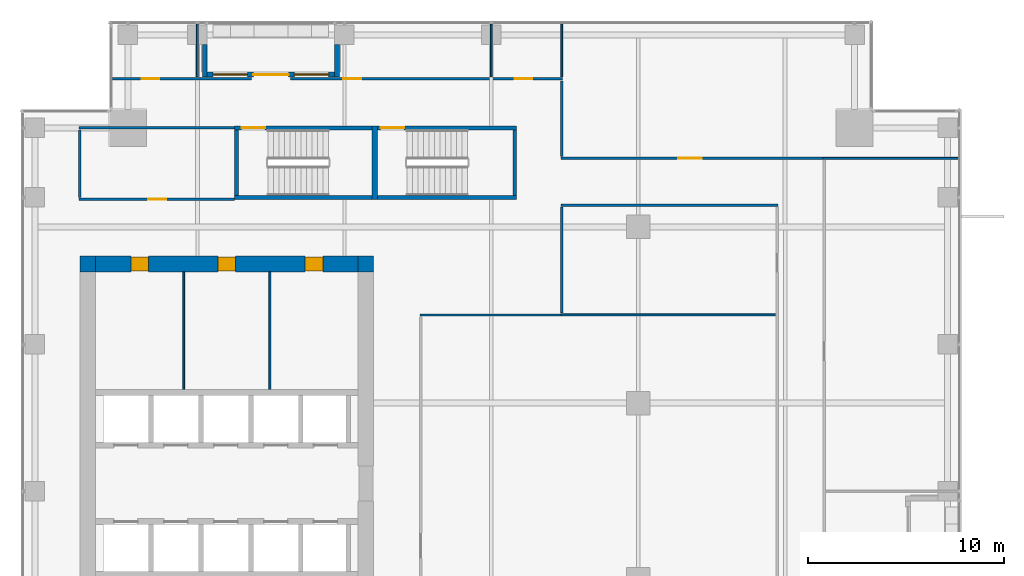
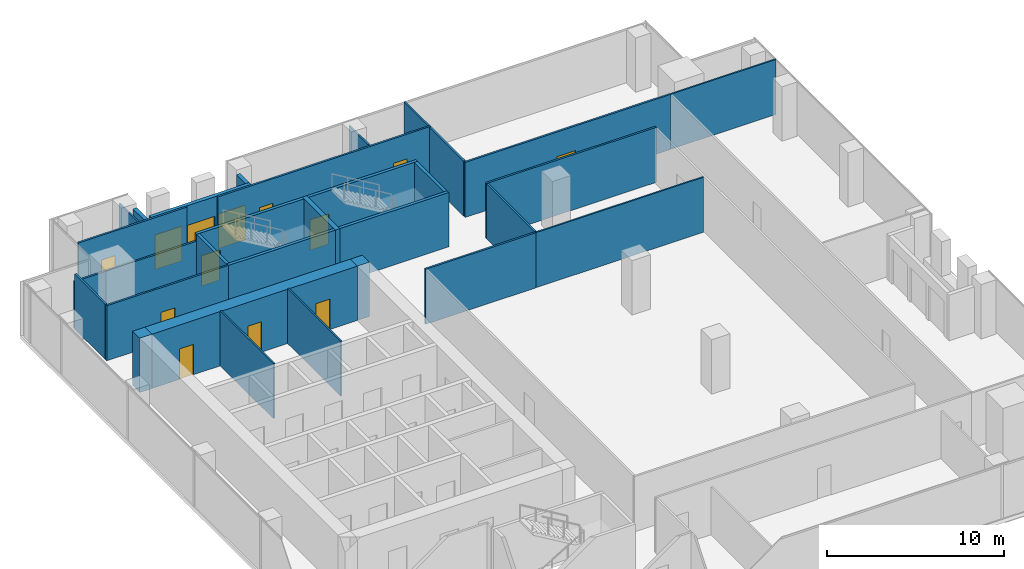
# One storey, part 36 of 40: 30 walls, 11 doors, 2 windows, 13 openings.
"""IFC4 building model written with IfcOpenShell, lengths in metres."""

from ifc_helpers import new_model, si_unit, direction, frame, frame_2d, origin, place, context, subcontext, project, spatial, rectangle, extrude, source, transform, mapped, material, layer, layer_set, type_object, element, fill, save


model = new_model("IFC4")

# Units and contexts
model_context = context("Model", 3, precision=1e-05, world=origin(), true_north=direction((0.0, 1.0)))
body_context = subcontext(model_context, "Body", "Model", "MODEL_VIEW")
ifc_project = project(units=[si_unit("LENGTHUNIT", "METRE"), si_unit("AREAUNIT", "SQUARE_METRE"), si_unit("VOLUMEUNIT", "CUBIC_METRE"), si_unit("PLANEANGLEUNIT", "RADIAN"), si_unit("MASSUNIT", "GRAM", prefix="KILO")], contexts=[model_context])

# Site, building, storey
site_placement = place(None, origin())
site = spatial("IfcSite", under=ifc_project, at=site_placement, CompositionType="ELEMENT")
building_placement = place(site_placement, origin())
building = spatial("IfcBuilding", under=site, at=building_placement, Name="Khomas Fold Tower", CompositionType="ELEMENT")
storey_placement = place(building_placement, frame((0.0, 0.0, 204.699951171875)))
storey = spatial("IfcBuildingStorey", under=building, at=storey_placement, Name="L45", CompositionType="ELEMENT", Elevation=204.699951171875)

# Wall, openings, doors
ifc_material_1 = material(Name="Concrete C60/75", Category="concrete")
ifc_layer_1 = layer(ifc_material_1, 0.800048828125)
ifc_layer_set_1 = layer_set([ifc_layer_1], Name="Concrete C60/75")
wall_type_1 = type_object("IfcWallType", Name="Core wall 800", PredefinedType="SHEAR", material=ifc_layer_set_1)
shared_shape_1 = source(origin(), body_context, "Body", "SweptSolid", [
    extrude(rectangle(XDim=13.39990234375, YDim=0.800048828125, at=frame_2d((6.699951171875, 0.0))), origin(), (0.0, 0.0, 1.0), 3.75),
])
wall_1_placement = place(storey_placement, frame((6.800048828125, 38.60009765625, 0.0), z_axis=(0.0, 0.0, 1.0), x_axis=(1.0, 0.0, 0.0)))
wall_1 = element("IfcWall", 1, at=wall_1_placement, inside=storey, type_object=wall_type_1, Name="Core wall CW-U-N-L35", PredefinedType="SHEAR", context=body_context, shape_type="MappedRepresentation", body=[
    mapped(shared_shape_1, transform((0.0, 0.0, 0.0))),
])
shared_shape_2 = source(origin(), body_context, "Body", "SweptSolid", [
    extrude(rectangle(XDim=0.89990234375, YDim=2.10009765625, at=frame_2d((0.449951171875, 1.050048828125))), frame((0.0, 0.409912109375, 0.0), z_axis=(0.0, -1.0, 0.0), x_axis=(1.0, 0.0, 0.0)), (0.0, 0.0, 1.0), 0.820068359375),
])
opening_1_placement = place(wall_1_placement, frame((1.800048828125, 0.0, 0.0)))
opening_1 = element("IfcOpeningElement", 2, at=opening_1_placement, cuts=wall_1, Name="Opening 0004", PredefinedType="OPENING", context=body_context, shape_type="MappedRepresentation", body=[
    mapped(shared_shape_2, transform((0.0, 0.0, 0.0))),
])
opening_2_placement = place(wall_1_placement, frame((6.25, 0.0, 0.0)))
opening_2 = element("IfcOpeningElement", 3, at=opening_2_placement, cuts=wall_1, Name="Opening 0004", PredefinedType="OPENING", context=body_context, shape_type="MappedRepresentation", body=[
    mapped(shared_shape_2, transform((0.0, 0.0, 0.0))),
])
opening_3_placement = place(wall_1_placement, frame((10.699951171875, 0.0, 0.0)))
opening_3 = element("IfcOpeningElement", 4, at=opening_3_placement, cuts=wall_1, Name="Opening 0008", PredefinedType="OPENING", context=body_context, shape_type="MappedRepresentation", body=[
    mapped(shared_shape_2, transform((0.0, 0.0, 0.0))),
])
ifc_material_2 = material(Name="Timber door leaf", Category="wood")
door_type_1 = type_object("IfcDoorType", Name="WC door 900x2100 right-hand", OperationType="SINGLE_SWING_RIGHT", PredefinedType="DOOR", material=ifc_material_2)
shared_shape_3 = source(origin(), body_context, "Body", "SweptSolid", [
    extrude(rectangle(XDim=0.89990234375, YDim=2.10009765625, at=frame_2d((0.449951171875, 1.050048828125))), frame((0.0, 0.35009765625, 0.0), z_axis=(0.0, -1.0, 0.0), x_axis=(1.0, 0.0, 0.0)), (0.0, 0.0, 1.0), 0.699951171875),
])
door_1_placement = place(opening_1_placement, origin())
door_1 = element("IfcDoor", 5, at=door_1_placement, inside=storey, type_object=door_type_1, Name="WC door", OperationType="SINGLE_SWING_RIGHT", OverallHeight=2.10009765625, OverallWidth=0.89990234375, PredefinedType="DOOR", context=body_context, shape_type="MappedRepresentation", body=[
    mapped(shared_shape_3, transform((0.0, 0.0, 0.0))),
])
fill(opening_1, door_1)
door_2_placement = place(opening_2_placement, origin())
door_2 = element("IfcDoor", 6, at=door_2_placement, inside=storey, type_object=door_type_1, Name="WC door", OperationType="SINGLE_SWING_RIGHT", OverallHeight=2.10009765625, OverallWidth=0.89990234375, PredefinedType="DOOR", context=body_context, shape_type="MappedRepresentation", body=[
    mapped(shared_shape_3, transform((0.0, 0.0, 0.0))),
])
fill(opening_2, door_2)
ifc_material_3 = material(Name="Timber door leaf", Category="wood")
door_type_2 = type_object("IfcDoorType", Name="Door 900x2100 right-hand", OperationType="SINGLE_SWING_RIGHT", PredefinedType="DOOR", material=ifc_material_3)
door_3_placement = place(opening_3_placement, origin())
door_3 = element("IfcDoor", 7, at=door_3_placement, inside=storey, type_object=door_type_2, Name="Door", OperationType="SINGLE_SWING_RIGHT", OverallHeight=2.10009765625, OverallWidth=0.89990234375, PredefinedType="DOOR", context=body_context, shape_type="MappedRepresentation", body=[
    mapped(shared_shape_3, transform((0.0, 0.0, 0.0))),
])
fill(opening_3, door_3)

# Walls
ifc_material_4 = material(Name="Concrete C60/75", Category="concrete")
ifc_layer_2 = layer(ifc_material_4, 0.800048828125)
ifc_layer_set_2 = layer_set([ifc_layer_2], Name="Concrete C60/75")
wall_type_2 = type_object("IfcWallType", Name="Core corner wall 800", PredefinedType="SHEAR", material=ifc_layer_set_2)
shared_shape_4 = source(origin(), body_context, "Body", "SweptSolid", [
    extrude(rectangle(XDim=0.800048828125, YDim=0.800048828125, at=frame_2d((0.39990234375, 0.0))), origin(), (0.0, 0.0, 1.0), 3.75),
])
for number, where, z_axis, x_axis, name in (
    (8, (20.199951171875, 38.60009765625, 0.0), (0.0, 0.0, 1.0), (1.0, 0.0, 0.0), "Core wall CW-U-NE-L35"),
    (9, (6.0, 38.60009765625, 0.0), (0.0, 0.0, 1.0), (1.0, 0.0, 0.0), "Core wall CW-U-NW-L35"),
):
    element("IfcWall", number, at=place(storey_placement, frame(where, z_axis=z_axis, x_axis=x_axis)), inside=storey, type_object=wall_type_2, Name=name, PredefinedType="SHEAR", context=body_context, shape_type="MappedRepresentation", body=[
        mapped(shared_shape_4, transform((0.0, 0.0, 0.0))),
    ])

# Wall, opening, door
ifc_material_5 = material(Name="Concrete C50/60", Category="concrete")
ifc_layer_3 = layer(ifc_material_5, 0.199951171875)
ifc_layer_set_3 = layer_set([ifc_layer_3], Name="Concrete C50/60")
wall_type_3 = type_object("IfcWallType", Name="Stair wall 200", PredefinedType="SHEAR", material=ifc_layer_set_3)
shared_shape_5 = source(origin(), body_context, "Body", "SweptSolid", [
    extrude(rectangle(XDim=7.0, YDim=0.199951171875, at=frame_2d((3.5, 0.0))), origin(), (0.0, 0.0, 1.0), 3.75),
])
wall_2_placement = place(storey_placement, frame((13.89990234375, 45.550048828125, 0.0), z_axis=(0.0, 0.0, 1.0), x_axis=(1.0, 0.0, 0.0)))
wall_2 = element("IfcWall", 10, at=wall_2_placement, inside=storey, type_object=wall_type_3, Name="Stair wall SW-ST1-N", PredefinedType="SHEAR", context=body_context, shape_type="MappedRepresentation", body=[
    mapped(shared_shape_5, transform((0.0, 0.0, 0.0))),
])
shared_shape_6 = source(origin(), body_context, "Body", "SweptSolid", [
    extrude(rectangle(XDim=1.199951171875, YDim=2.10009765625, at=frame_2d((0.60009765625, 1.050048828125))), frame((0.0, 0.10986328125, 0.0), z_axis=(0.0, -1.0, 0.0), x_axis=(1.0, 0.0, 0.0)), (0.0, 0.0, 1.0), 0.219970703125),
])
opening_4_placement = place(wall_2_placement, frame((0.35009765625, 0.0, 0.0)))
opening_4 = element("IfcOpeningElement", 11, at=opening_4_placement, cuts=wall_2, Name="Opening SD-ST1", PredefinedType="OPENING", context=body_context, shape_type="MappedRepresentation", body=[
    mapped(shared_shape_6, transform((0.0, 0.0, 0.0))),
])
ifc_material_6 = material(Name="Steel door leaf", Category="steel")
door_type_3 = type_object("IfcDoorType", Name="Stair door 1200x2100 left-hand", OperationType="SINGLE_SWING_LEFT", PredefinedType="DOOR", material=ifc_material_6)
shared_shape_7 = source(origin(), body_context, "Body", "SweptSolid", [
    extrude(rectangle(XDim=1.199951171875, YDim=2.10009765625, at=frame_2d((0.60009765625, 1.050048828125))), frame((0.0, 0.02490234375, 0.0), z_axis=(0.0, -1.0, 0.0), x_axis=(1.0, 0.0, 0.0)), (0.0, 0.0, 1.0), 0.050048828125),
])
door_4_placement = place(opening_4_placement, origin())
door_4 = element("IfcDoor", 12, at=door_4_placement, inside=storey, type_object=door_type_3, Name="Stair door", OperationType="SINGLE_SWING_LEFT", OverallHeight=2.10009765625, OverallWidth=1.199951171875, PredefinedType="DOOR", context=body_context, shape_type="MappedRepresentation", body=[
    mapped(shared_shape_7, transform((0.0, 0.0, 0.0))),
])
fill(opening_4, door_4)

# Wall
wall_3_placement = place(storey_placement, frame((13.89990234375, 42.0, 0.0), z_axis=(0.0, 0.0, 1.0), x_axis=(1.0, 0.0, 0.0)))
element("IfcWall", 13, at=wall_3_placement, inside=storey, type_object=wall_type_3, Name="Stair wall SW-ST1-S", PredefinedType="SHEAR", context=body_context, shape_type="MappedRepresentation", body=[
    mapped(shared_shape_5, transform((0.0, 0.0, 0.0))),
])

# Wall, opening, door
shared_shape_8 = source(origin(), body_context, "Body", "SweptSolid", [
    extrude(rectangle(XDim=7.10009765625, YDim=0.199951171875, at=frame_2d((3.550048828125, 0.0))), origin(), (0.0, 0.0, 1.0), 3.75),
])
wall_4_placement = place(storey_placement, frame((21.199951171875, 45.550048828125, 0.0), z_axis=(0.0, 0.0, 1.0), x_axis=(1.0, 0.0, 0.0)))
wall_4 = element("IfcWall", 14, at=wall_4_placement, inside=storey, type_object=wall_type_3, Name="Stair wall SW-ST3-N", PredefinedType="SHEAR", context=body_context, shape_type="MappedRepresentation", body=[
    mapped(shared_shape_8, transform((0.0, 0.0, 0.0))),
])
opening_5_placement = place(wall_4_placement, frame((0.14990234375, 0.0, 0.0)))
opening_5 = element("IfcOpeningElement", 15, at=opening_5_placement, cuts=wall_4, Name="Opening SD-ST3", PredefinedType="OPENING", context=body_context, shape_type="MappedRepresentation", body=[
    mapped(shared_shape_6, transform((0.0, 0.0, 0.0))),
])
door_5_placement = place(opening_5_placement, origin())
door_5 = element("IfcDoor", 16, at=door_5_placement, inside=storey, type_object=door_type_3, Name="Stair door", OperationType="SINGLE_SWING_LEFT", OverallHeight=2.10009765625, OverallWidth=1.199951171875, PredefinedType="DOOR", context=body_context, shape_type="MappedRepresentation", body=[
    mapped(shared_shape_7, transform((0.0, 0.0, 0.0))),
])
fill(opening_5, door_5)

# Walls
wall_5_placement = place(storey_placement, frame((21.199951171875, 42.0, 0.0), z_axis=(0.0, 0.0, 1.0), x_axis=(1.0, 0.0, 0.0)))
element("IfcWall", 17, at=wall_5_placement, inside=storey, type_object=wall_type_3, Name="Stair wall SW-ST3-S", PredefinedType="SHEAR", context=body_context, shape_type="MappedRepresentation", body=[
    mapped(shared_shape_8, transform((0.0, 0.0, 0.0))),
])
ifc_material_7 = material(Name="Concrete C50/60", Category="concrete")
ifc_layer_4 = layer(ifc_material_7, 0.300048828125)
ifc_layer_set_4 = layer_set([ifc_layer_4], Name="Concrete C50/60")
wall_type_4 = type_object("IfcWallType", Name="Stair wall 300", PredefinedType="SHEAR", material=ifc_layer_set_4)
shared_shape_9 = source(origin(), body_context, "Body", "SweptSolid", [
    extrude(rectangle(XDim=3.75, YDim=0.300048828125, at=frame_2d((1.875, 0.0))), origin(), (0.0, 0.0, 1.0), 3.75),
])
wall_6_placement = place(storey_placement, frame((21.050048828125, 41.89990234375, 0.0), z_axis=(0.0, 0.0, 1.0), x_axis=(0.0, 1.0, 0.0)))
element("IfcWall", 18, at=wall_6_placement, inside=storey, type_object=wall_type_4, Name="Stair wall SW-ST1-E", PredefinedType="SHEAR", context=body_context, shape_type="MappedRepresentation", body=[
    mapped(shared_shape_9, transform((0.0, 0.0, 0.0))),
])
shared_shape_10 = source(origin(), body_context, "Body", "SweptSolid", [
    extrude(rectangle(XDim=3.349853515625, YDim=0.199951171875, at=frame_2d((1.6748046875, 0.0))), origin(), (0.0, 0.0, 1.0), 3.75),
])
for number, where, z_axis, x_axis, name in (
    (19, (14.0, 42.10009765625, 0.0), (0.0, 0.0, 1.0), (0.0, 1.0, 0.0), "Stair wall SW-ST1-W"),
    (20, (28.199951171875, 42.10009765625, 0.0), (0.0, 0.0, 1.0), (0.0, 1.0, 0.0), "Stair wall SW-ST3-E"),
):
    element("IfcWall", number, at=place(storey_placement, frame(where, z_axis=z_axis, x_axis=x_axis)), inside=storey, type_object=wall_type_3, Name=name, PredefinedType="SHEAR", context=body_context, shape_type="MappedRepresentation", body=[
        mapped(shared_shape_10, transform((0.0, 0.0, 0.0))),
    ])

# Wall, openings, door, windows
ifc_material_8 = material(Name="Natural stone", Category="masonry")
ifc_layer_5 = layer(ifc_material_8, 0.0400390625)
ifc_material_9 = material(Name="Mineral wool insulation", Category="insulation")
ifc_layer_6 = layer(ifc_material_9, 0.10009765625)
ifc_material_10 = material(Name="Masonry", Category="masonry")
ifc_layer_7 = layer(ifc_material_10, 0.110107421875)
ifc_layer_set_5 = layer_set([ifc_layer_5, ifc_layer_6, ifc_layer_7], Name="Stone-faced insulated masonry")
wall_type_5 = type_object("IfcWallType", Name="BL-Balcony wall", PredefinedType="SOLIDWALL", material=ifc_layer_set_5)
shared_shape_11 = source(origin(), body_context, "Body", "SweptSolid", [
    extrude(rectangle(XDim=6.5, YDim=0.25, at=frame_2d((3.25, 0.0))), origin(), (0.0, 0.0, 1.0), 3.75),
])
wall_7_placement = place(storey_placement, frame((12.5, 48.27490234375, 0.0), z_axis=(0.0, 0.0, 1.0), x_axis=(1.0, 0.0, 0.0)))
wall_7 = element("IfcWall", 21, at=wall_7_placement, inside=storey, type_object=wall_type_5, Name="Balcony wall BAL-L45-N1", PredefinedType="SOLIDWALL", context=body_context, shape_type="MappedRepresentation", body=[
    mapped(shared_shape_11, transform((0.0, 0.0, 0.0))),
])
shared_shape_12 = source(origin(), body_context, "Body", "SweptSolid", [
    extrude(rectangle(XDim=1.75, YDim=2.39990234375, at=frame_2d((0.875, 1.199951171875))), frame((0.0, 0.135009765625, 0.0), z_axis=(0.0, -1.0, 0.0), x_axis=(1.0, 0.0, 0.0)), (0.0, 0.0, 1.0), 0.27001953125),
])
opening_6_placement = place(wall_7_placement, frame((0.300048828125, 0.0, 0.0)))
opening_6 = element("IfcOpeningElement", 22, at=opening_6_placement, cuts=wall_7, Name="Opening BL-W3", PredefinedType="OPENING", context=body_context, shape_type="MappedRepresentation", body=[
    mapped(shared_shape_12, transform((0.0, 0.0, 0.0))),
])
opening_7_placement = place(wall_7_placement, frame((4.449951171875, 0.0, 0.0)))
opening_7 = element("IfcOpeningElement", 23, at=opening_7_placement, cuts=wall_7, Name="Opening BL-W3", PredefinedType="OPENING", context=body_context, shape_type="MappedRepresentation", body=[
    mapped(shared_shape_12, transform((0.0, 0.0, 0.0))),
])
shared_shape_13 = source(origin(), body_context, "Body", "SweptSolid", [
    extrude(rectangle(XDim=1.800048828125, YDim=2.39990234375, at=frame_2d((0.89990234375, 1.199951171875))), frame((0.0, 0.135009765625, 0.0), z_axis=(0.0, -1.0, 0.0), x_axis=(1.0, 0.0, 0.0)), (0.0, 0.0, 1.0), 0.27001953125),
])
opening_8_placement = place(wall_7_placement, frame((2.35009765625, 0.0, 0.0)))
opening_8 = element("IfcOpeningElement", 24, at=opening_8_placement, cuts=wall_7, Name="Opening BD452", PredefinedType="OPENING", context=body_context, shape_type="MappedRepresentation", body=[
    mapped(shared_shape_13, transform((0.0, 0.0, 0.0))),
])
ifc_material_11 = material(Name="Aluminium framed double glazing", Category="aluminium")
door_type_4 = type_object("IfcDoorType", Name="BL-Glazed balcony door 1800 x 2400", OperationType="DOUBLE_DOOR_DOUBLE_SWING", PredefinedType="DOOR", material=ifc_material_11)
shared_shape_14 = source(origin(), body_context, "Body", "SweptSolid", [
    extrude(rectangle(XDim=1.800048828125, YDim=2.39990234375, at=frame_2d((0.89990234375, 1.199951171875))), frame((0.0, 0.02490234375, 0.0), z_axis=(0.0, -1.0, 0.0), x_axis=(1.0, 0.0, 0.0)), (0.0, 0.0, 1.0), 0.050048828125),
])
door_6_placement = place(opening_8_placement, origin())
door_6 = element("IfcDoor", 25, at=door_6_placement, inside=storey, type_object=door_type_4, Name="Balcony door BD452", OperationType="DOUBLE_DOOR_DOUBLE_SWING", OverallHeight=2.39990234375, OverallWidth=1.800048828125, PredefinedType="DOOR", context=body_context, shape_type="MappedRepresentation", body=[
    mapped(shared_shape_14, transform((0.0, 0.0, 0.0))),
])
fill(opening_8, door_6)
ifc_material_12 = material(Name="Aluminium framed double glazing", Category="aluminium")
window_type = type_object("IfcWindowType", Name="BL-Fixed glazing 1750 x 2400", PartitioningType="SINGLE_PANEL", PredefinedType="WINDOW", material=ifc_material_12)
shared_shape_15 = source(origin(), body_context, "Body", "SweptSolid", [
    extrude(rectangle(XDim=1.75, YDim=2.39990234375, at=frame_2d((0.875, 1.199951171875))), frame((0.0, 0.030029296875, 0.0), z_axis=(0.0, -1.0, 0.0), x_axis=(1.0, 0.0, 0.0)), (0.0, 0.0, 1.0), 0.06005859375),
])
window_1_placement = place(opening_6_placement, origin())
window_1 = element("IfcWindow", 26, at=window_1_placement, inside=storey, type_object=window_type, Name="Balcony glazing BAL-L45-N1-1", OverallHeight=2.39990234375, OverallWidth=1.75, PartitioningType="SINGLE_PANEL", PredefinedType="WINDOW", context=body_context, shape_type="MappedRepresentation", body=[
    mapped(shared_shape_15, transform((0.0, 0.0, 0.0))),
])
fill(opening_6, window_1)
window_2_placement = place(opening_7_placement, origin())
window_2 = element("IfcWindow", 27, at=window_2_placement, inside=storey, type_object=window_type, Name="Balcony glazing BAL-L45-N1-2", OverallHeight=2.39990234375, OverallWidth=1.75, PartitioningType="SINGLE_PANEL", PredefinedType="WINDOW", context=body_context, shape_type="MappedRepresentation", body=[
    mapped(shared_shape_15, transform((0.0, 0.0, 0.0))),
])
fill(opening_7, window_2)

# Walls
shared_shape_16 = source(origin(), body_context, "Body", "SweptSolid", [
    extrude(rectangle(XDim=1.650146484375, YDim=0.25, at=frame_2d((0.8251953125, 0.0))), origin(), (0.0, 0.0, 1.0), 3.449951171875),
])
for number, where, z_axis, x_axis, name in (
    (28, (12.375, 49.800048828125, 0.0), (0.0, 0.0, 1.0), (0.0, -1.0, 0.0), "Balcony return wall BAL-L45-N1-lo"),
    (29, (19.125, 49.800048828125, 0.0), (0.0, 0.0, 1.0), (0.0, -1.0, 0.0), "Balcony return wall BAL-L45-N1-hi"),
):
    element("IfcWall", number, at=place(storey_placement, frame(where, z_axis=z_axis, x_axis=x_axis)), inside=storey, type_object=wall_type_5, Name=name, PredefinedType="SOLIDWALL", context=body_context, shape_type="MappedRepresentation", body=[
        mapped(shared_shape_16, transform((0.0, 0.0, 0.0))),
    ])
ifc_material_13 = material(Name="Plasterboard partition")
ifc_layer_8 = layer(ifc_material_13, 0.125)
ifc_layer_set_6 = layer_set([ifc_layer_8], Name="Plasterboard partition")
wall_type_6 = type_object("IfcWallType", Name="Partition PW2 125", PredefinedType="PARTITIONING", material=ifc_layer_set_6)
shared_shape_17 = source(origin(), body_context, "Body", "SweptSolid", [
    extrude(rectangle(XDim=7.949951171875, YDim=0.125, at=frame_2d((3.97509765625, 0.0))), origin(), (0.0, 0.0, 1.0), 3.25),
])
wall_8_placement = place(storey_placement, frame((5.949951171875, 45.550048828125, 0.0), z_axis=(0.0, 0.0, 1.0), x_axis=(1.0, 0.0, 0.0)))
element("IfcWall", 30, at=wall_8_placement, inside=storey, type_object=wall_type_6, Name="Partition", PredefinedType="PARTITIONING", context=body_context, shape_type="MappedRepresentation", body=[
    mapped(shared_shape_17, transform((0.0, 0.0, 0.0))),
])
ifc_material_14 = material(Name="Plasterboard partition")
ifc_layer_9 = layer(ifc_material_14, 0.10009765625)
ifc_layer_set_7 = layer_set([ifc_layer_9], Name="Plasterboard partition")
wall_type_7 = type_object("IfcWallType", Name="Partition PW1 100", PredefinedType="PARTITIONING", material=ifc_layer_set_7)
shared_shape_18 = source(origin(), body_context, "Body", "SweptSolid", [
    extrude(rectangle(XDim=6.0, YDim=0.10009765625, at=frame_2d((3.0, 0.0))), origin(), (0.0, 0.0, 1.0), 3.800048828125),
])
for number, where, z_axis, x_axis, name in (
    (31, (11.300048828125, 32.199951171875, 0.0), (0.0, 0.0, 1.0), (0.0, 1.0, 0.0), "Partition"),
    (32, (15.699951171875, 32.199951171875, 0.0), (0.0, 0.0, 1.0), (0.0, 1.0, 0.0), "Partition"),
):
    element("IfcWall", number, at=place(storey_placement, frame(where, z_axis=z_axis, x_axis=x_axis)), inside=storey, type_object=wall_type_7, Name=name, PredefinedType="PARTITIONING", context=body_context, shape_type="MappedRepresentation", body=[
        mapped(shared_shape_18, transform((0.0, 0.0, 0.0))),
    ])

# Wall, opening, door
shared_shape_19 = source(origin(), body_context, "Body", "SweptSolid", [
    extrude(rectangle(XDim=7.949951171875, YDim=0.125, at=frame_2d((3.97509765625, 0.0))), origin(), (0.0, 0.0, 1.0), 3.800048828125),
])
wall_9_placement = place(storey_placement, frame((5.949951171875, 41.89990234375, 0.0), z_axis=(0.0, 0.0, 1.0), x_axis=(1.0, 0.0, 0.0)))
wall_9 = element("IfcWall", 33, at=wall_9_placement, inside=storey, type_object=wall_type_6, Name="Partition", PredefinedType="PARTITIONING", context=body_context, shape_type="MappedRepresentation", body=[
    mapped(shared_shape_19, transform((0.0, 0.0, 0.0))),
])
shared_shape_20 = source(origin(), body_context, "Body", "SweptSolid", [
    extrude(rectangle(XDim=0.89990234375, YDim=2.10009765625, at=frame_2d((0.449951171875, 1.050048828125))), frame((0.0, 0.072509765625, 0.0), z_axis=(0.0, -1.0, 0.0), x_axis=(1.0, 0.0, 0.0)), (0.0, 0.0, 1.0), 0.14501953125),
])
opening_9_placement = place(wall_9_placement, frame((3.550048828125, 0.0, 0.0)))
opening_9 = element("IfcOpeningElement", 34, at=opening_9_placement, cuts=wall_9, Name="Opening 0007", PredefinedType="OPENING", context=body_context, shape_type="MappedRepresentation", body=[
    mapped(shared_shape_20, transform((0.0, 0.0, 0.0))),
])
ifc_material_15 = material(Name="Timber door leaf", Category="wood")
door_type_5 = type_object("IfcDoorType", Name="Door 900x2100 left-hand", OperationType="SINGLE_SWING_LEFT", PredefinedType="DOOR", material=ifc_material_15)
shared_shape_21 = source(origin(), body_context, "Body", "SweptSolid", [
    extrude(rectangle(XDim=0.89990234375, YDim=2.10009765625, at=frame_2d((0.449951171875, 1.050048828125))), frame((0.0, 0.02490234375, 0.0), z_axis=(0.0, -1.0, 0.0), x_axis=(1.0, 0.0, 0.0)), (0.0, 0.0, 1.0), 0.050048828125),
])
door_7_placement = place(opening_9_placement, origin())
door_7 = element("IfcDoor", 35, at=door_7_placement, inside=storey, type_object=door_type_5, Name="Door", OperationType="SINGLE_SWING_LEFT", OverallHeight=2.10009765625, OverallWidth=0.89990234375, PredefinedType="DOOR", context=body_context, shape_type="MappedRepresentation", body=[
    mapped(shared_shape_21, transform((0.0, 0.0, 0.0))),
])
fill(opening_9, door_7)

# Walls
shared_shape_22 = source(origin(), body_context, "Body", "SweptSolid", [
    extrude(rectangle(XDim=3.449951171875, YDim=0.125, at=frame_2d((1.72509765625, 0.0))), origin(), (0.0, 0.0, 1.0), 3.800048828125),
])
wall_10_placement = place(storey_placement, frame((6.0, 42.0, 0.0), z_axis=(0.0, 0.0, 1.0), x_axis=(0.0, 1.0, 0.0)))
element("IfcWall", 36, at=wall_10_placement, inside=storey, type_object=wall_type_6, Name="Partition", PredefinedType="PARTITIONING", context=body_context, shape_type="MappedRepresentation", body=[
    mapped(shared_shape_22, transform((0.0, 0.0, 0.0))),
])
shared_shape_23 = source(origin(), body_context, "Body", "SweptSolid", [
    extrude(rectangle(XDim=2.7001953125, YDim=0.10009765625, at=frame_2d((1.35009765625, 0.0))), origin(), (0.0, 0.0, 1.0), 3.420166015625),
])
wall_11_placement = place(storey_placement, frame((27.0, 48.14990234375, 0.0), z_axis=(0.0, 0.0, 1.0), x_axis=(0.0, 1.0, 0.0)))
element("IfcWall", 37, at=wall_11_placement, inside=storey, type_object=wall_type_7, Name="Partition", PredefinedType="PARTITIONING", context=body_context, shape_type="MappedRepresentation", body=[
    mapped(shared_shape_23, transform((0.0, 0.0, 0.0))),
])
shared_shape_24 = source(origin(), body_context, "Body", "SweptSolid", [
    extrude(rectangle(XDim=2.7001953125, YDim=0.10009765625, at=frame_2d((1.35009765625, 0.0))), origin(), (0.0, 0.0, 1.0), 3.800048828125),
])
wall_12_placement = place(storey_placement, frame((30.60009765625, 48.14990234375, 0.0), z_axis=(0.0, 0.0, 1.0), x_axis=(0.0, 1.0, 0.0)))
element("IfcWall", 38, at=wall_12_placement, inside=storey, type_object=wall_type_7, Name="Partition", PredefinedType="PARTITIONING", context=body_context, shape_type="MappedRepresentation", body=[
    mapped(shared_shape_24, transform((0.0, 0.0, 0.0))),
])

# Wall, opening, door
shared_shape_25 = source(origin(), body_context, "Body", "SweptSolid", [
    extrude(rectangle(XDim=7.10009765625, YDim=0.125, at=frame_2d((3.550048828125, 0.0))), origin(), (0.0, 0.0, 1.0), 3.800048828125),
])
wall_13_placement = place(storey_placement, frame((7.64990234375, 48.050048828125, 0.0), z_axis=(0.0, 0.0, 1.0), x_axis=(1.0, 0.0, 0.0)))
wall_13 = element("IfcWall", 39, at=wall_13_placement, inside=storey, type_object=wall_type_6, Name="Partition", PredefinedType="PARTITIONING", context=body_context, shape_type="MappedRepresentation", body=[
    mapped(shared_shape_25, transform((0.0, 0.0, 0.0))),
])
opening_10_placement = place(wall_13_placement, frame((1.5, 0.0, 0.0)))
opening_10 = element("IfcOpeningElement", 40, at=opening_10_placement, cuts=wall_13, Name="Opening 0008", PredefinedType="OPENING", context=body_context, shape_type="MappedRepresentation", body=[
    mapped(shared_shape_20, transform((0.0, 0.0, 0.0))),
])
door_8_placement = place(opening_10_placement, origin())
door_8 = element("IfcDoor", 41, at=door_8_placement, inside=storey, type_object=door_type_2, Name="Door", OperationType="SINGLE_SWING_RIGHT", OverallHeight=2.10009765625, OverallWidth=0.89990234375, PredefinedType="DOOR", context=body_context, shape_type="MappedRepresentation", body=[
    mapped(shared_shape_21, transform((0.0, 0.0, 0.0))),
])
fill(opening_10, door_8)

# Wall, openings, doors
shared_shape_26 = source(origin(), body_context, "Body", "SweptSolid", [
    extrude(rectangle(XDim=13.89990234375, YDim=0.125, at=frame_2d((6.949951171875, 0.0))), origin(), (0.0, 0.0, 1.0), 3.800048828125),
])
wall_14_placement = place(storey_placement, frame((16.75, 48.050048828125, 0.0), z_axis=(0.0, 0.0, 1.0), x_axis=(1.0, 0.0, 0.0)))
wall_14 = element("IfcWall", 42, at=wall_14_placement, inside=storey, type_object=wall_type_6, Name="Partition", PredefinedType="PARTITIONING", context=body_context, shape_type="MappedRepresentation", body=[
    mapped(shared_shape_26, transform((0.0, 0.0, 0.0))),
])
opening_11_placement = place(wall_14_placement, frame((2.699951171875, 0.0, 0.0)))
opening_11 = element("IfcOpeningElement", 43, at=opening_11_placement, cuts=wall_14, Name="Opening 0007", PredefinedType="OPENING", context=body_context, shape_type="MappedRepresentation", body=[
    mapped(shared_shape_20, transform((0.0, 0.0, 0.0))),
])
opening_12_placement = place(wall_14_placement, frame((11.449951171875, 0.0, 0.0)))
opening_12 = element("IfcOpeningElement", 44, at=opening_12_placement, cuts=wall_14, Name="Opening 0008", PredefinedType="OPENING", context=body_context, shape_type="MappedRepresentation", body=[
    mapped(shared_shape_20, transform((0.0, 0.0, 0.0))),
])
door_9_placement = place(opening_11_placement, origin())
door_9 = element("IfcDoor", 45, at=door_9_placement, inside=storey, type_object=door_type_5, Name="Door", OperationType="SINGLE_SWING_LEFT", OverallHeight=2.10009765625, OverallWidth=0.89990234375, PredefinedType="DOOR", context=body_context, shape_type="MappedRepresentation", body=[
    mapped(shared_shape_21, transform((0.0, 0.0, 0.0))),
])
fill(opening_11, door_9)
door_10_placement = place(opening_12_placement, origin())
door_10 = element("IfcDoor", 46, at=door_10_placement, inside=storey, type_object=door_type_2, Name="Door", OperationType="SINGLE_SWING_RIGHT", OverallHeight=2.10009765625, OverallWidth=0.89990234375, PredefinedType="DOOR", context=body_context, shape_type="MappedRepresentation", body=[
    mapped(shared_shape_21, transform((0.0, 0.0, 0.0))),
])
fill(opening_12, door_10)

# Walls
shared_shape_27 = source(origin(), body_context, "Body", "SweptSolid", [
    extrude(rectangle(XDim=6.900146484375, YDim=0.10009765625, at=frame_2d((3.4501953125, 0.0))), origin(), (0.0, 0.0, 1.0), 3.800048828125),
])
wall_15_placement = place(storey_placement, frame((43.949951171875, 44.0, 0.0), z_axis=(0.0, 0.0, 1.0), x_axis=(1.0, 0.0, 0.0)))
element("IfcWall", 47, at=wall_15_placement, inside=storey, type_object=wall_type_7, Name="Partition", PredefinedType="PARTITIONING", context=body_context, shape_type="MappedRepresentation", body=[
    mapped(shared_shape_27, transform((0.0, 0.0, 0.0))),
])
shared_shape_28 = source(origin(), body_context, "Body", "SweptSolid", [
    extrude(rectangle(XDim=7.199951171875, YDim=0.125, at=frame_2d((3.60009765625, 0.0))), origin(), (0.0, 0.0, 1.0), 3.800048828125),
])
wall_16_placement = place(storey_placement, frame((23.35009765625, 36.0, 0.0), z_axis=(0.0, 0.0, 1.0), x_axis=(1.0, 0.0, 0.0)))
element("IfcWall", 48, at=wall_16_placement, inside=storey, type_object=wall_type_6, Name="Partition", PredefinedType="PARTITIONING", context=body_context, shape_type="MappedRepresentation", body=[
    mapped(shared_shape_28, transform((0.0, 0.0, 0.0))),
])
shared_shape_29 = source(origin(), body_context, "Body", "SweptSolid", [
    extrude(rectangle(XDim=10.949951171875, YDim=0.10009765625, at=frame_2d((5.47509765625, 0.0))), origin(), (0.0, 0.0, 1.0), 3.800048828125),
])
wall_17_placement = place(storey_placement, frame((30.550048828125, 36.0, 0.0), z_axis=(0.0, 0.0, 1.0), x_axis=(1.0, 0.0, 0.0)))
element("IfcWall", 49, at=wall_17_placement, inside=storey, type_object=wall_type_7, Name="Partition", PredefinedType="PARTITIONING", context=body_context, shape_type="MappedRepresentation", body=[
    mapped(shared_shape_29, transform((0.0, 0.0, 0.0))),
])
shared_shape_30 = source(origin(), body_context, "Body", "SweptSolid", [
    extrude(rectangle(XDim=5.39990234375, YDim=0.125, at=frame_2d((2.699951171875, 0.0))), origin(), (0.0, 0.0, 1.0), 3.800048828125),
])
wall_18_placement = place(storey_placement, frame((30.60009765625, 36.10009765625, 0.0), z_axis=(0.0, 0.0, 1.0), x_axis=(0.0, 1.0, 0.0)))
element("IfcWall", 50, at=wall_18_placement, inside=storey, type_object=wall_type_6, Name="Partition", PredefinedType="PARTITIONING", context=body_context, shape_type="MappedRepresentation", body=[
    mapped(shared_shape_30, transform((0.0, 0.0, 0.0))),
])
shared_shape_31 = source(origin(), body_context, "Body", "SweptSolid", [
    extrude(rectangle(XDim=11.099853515625, YDim=0.125, at=frame_2d((5.5498046875, 0.0))), origin(), (0.0, 0.0, 1.0), 3.800048828125),
])
wall_19_placement = place(storey_placement, frame((30.550048828125, 41.60009765625, 0.0), z_axis=(0.0, 0.0, 1.0), x_axis=(1.0, 0.0, 0.0)))
element("IfcWall", 51, at=wall_19_placement, inside=storey, type_object=wall_type_6, Name="Partition", PredefinedType="PARTITIONING", context=body_context, shape_type="MappedRepresentation", body=[
    mapped(shared_shape_31, transform((0.0, 0.0, 0.0))),
])

# Wall, opening, door
shared_shape_32 = source(origin(), body_context, "Body", "SweptSolid", [
    extrude(rectangle(XDim=13.39990234375, YDim=0.125, at=frame_2d((6.699951171875, 0.0))), origin(), (0.0, 0.0, 1.0), 3.800048828125),
])
wall_20_placement = place(storey_placement, frame((30.550048828125, 44.0, 0.0), z_axis=(0.0, 0.0, 1.0), x_axis=(1.0, 0.0, 0.0)))
wall_20 = element("IfcWall", 52, at=wall_20_placement, inside=storey, type_object=wall_type_6, Name="Partition", PredefinedType="PARTITIONING", context=body_context, shape_type="MappedRepresentation", body=[
    mapped(shared_shape_32, transform((0.0, 0.0, 0.0))),
])
shared_shape_33 = source(origin(), body_context, "Body", "SweptSolid", [
    extrude(rectangle(XDim=1.199951171875, YDim=2.10009765625, at=frame_2d((0.60009765625, 1.050048828125))), frame((0.0, 0.072509765625, 0.0), z_axis=(0.0, -1.0, 0.0), x_axis=(1.0, 0.0, 0.0)), (0.0, 0.0, 1.0), 0.14501953125),
])
opening_13_placement = place(wall_20_placement, frame((6.0, 0.0, 0.0)))
opening_13 = element("IfcOpeningElement", 53, at=opening_13_placement, cuts=wall_20, Name="Opening 0001", PredefinedType="OPENING", context=body_context, shape_type="MappedRepresentation", body=[
    mapped(shared_shape_33, transform((0.0, 0.0, 0.0))),
])
ifc_material_16 = material(Name="Timber door leaf", Category="wood")
door_type_6 = type_object("IfcDoorType", Name="Door 1200x2100 right-hand", OperationType="SINGLE_SWING_RIGHT", PredefinedType="DOOR", material=ifc_material_16)
door_11_placement = place(opening_13_placement, origin())
door_11 = element("IfcDoor", 54, at=door_11_placement, inside=storey, type_object=door_type_6, Name="Door", OperationType="SINGLE_SWING_RIGHT", OverallHeight=2.10009765625, OverallWidth=1.199951171875, PredefinedType="DOOR", context=body_context, shape_type="MappedRepresentation", body=[
    mapped(shared_shape_7, transform((0.0, 0.0, 0.0))),
])
fill(opening_13, door_11)

# Walls
shared_shape_34 = source(origin(), body_context, "Body", "SweptSolid", [
    extrude(rectangle(XDim=3.849853515625, YDim=0.125, at=frame_2d((1.9248046875, 0.0))), origin(), (0.0, 0.0, 1.0), 3.800048828125),
])
wall_21_placement = place(storey_placement, frame((30.60009765625, 44.10009765625, 0.0), z_axis=(0.0, 0.0, 1.0), x_axis=(0.0, 1.0, 0.0)))
element("IfcWall", 55, at=wall_21_placement, inside=storey, type_object=wall_type_6, Name="Partition", PredefinedType="PARTITIONING", context=body_context, shape_type="MappedRepresentation", body=[
    mapped(shared_shape_34, transform((0.0, 0.0, 0.0))),
])
shared_shape_35 = source(origin(), body_context, "Body", "SweptSolid", [
    extrude(rectangle(XDim=2.7001953125, YDim=0.10009765625, at=frame_2d((1.35009765625, 0.0))), origin(), (0.0, 0.0, 1.0), 3.300048828125),
])
wall_22_placement = place(storey_placement, frame((12.0, 48.14990234375, 0.0), z_axis=(0.0, 0.0, 1.0), x_axis=(0.0, 1.0, 0.0)))
element("IfcWall", 56, at=wall_22_placement, inside=storey, type_object=wall_type_7, Name="Partition", PredefinedType="PARTITIONING", context=body_context, shape_type="MappedRepresentation", body=[
    mapped(shared_shape_35, transform((0.0, 0.0, 0.0))),
])

save(model, "model.ifc")
